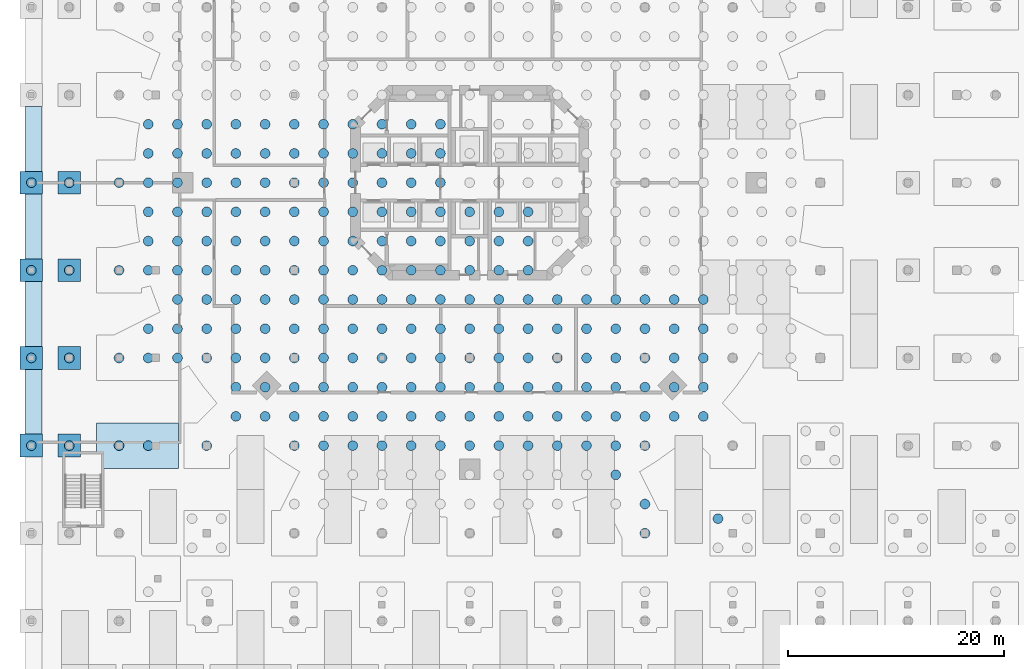
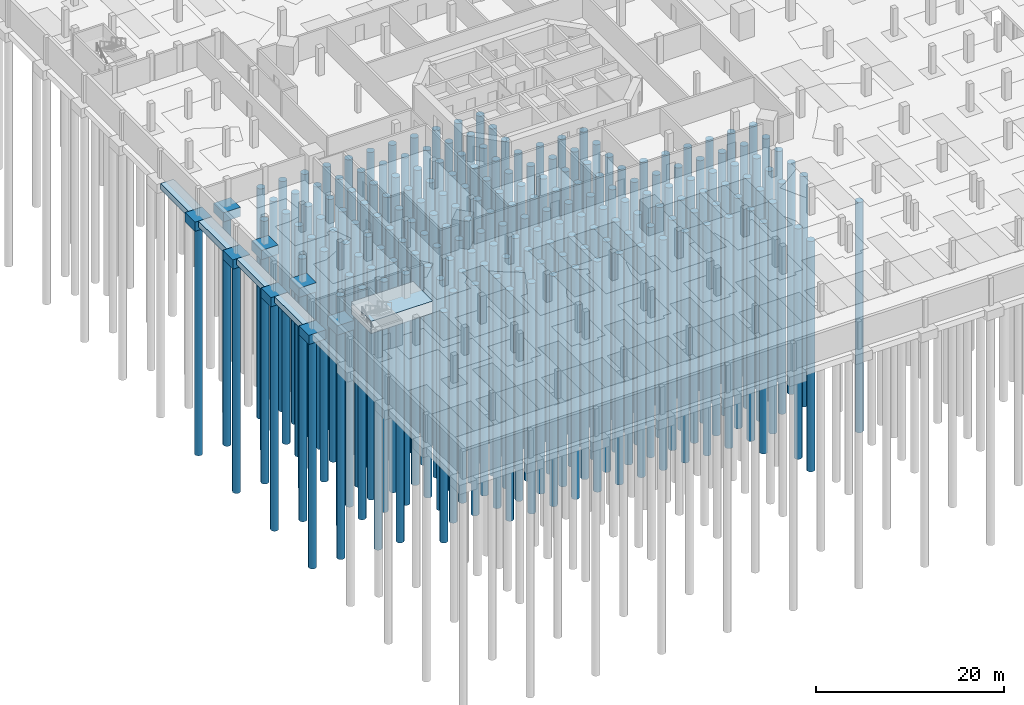
# One storey, part 2 of 23: 199 piles, 13 footings.
"""IFC4 building model written with IfcOpenShell, lengths in metres."""

from ifc_helpers import new_model, si_unit, direction, frame, origin, origin_2d, place, context, subcontext, project, spatial, polyline, rectangle, circle, outline, extrude, material, material_profile, profile_set, type_object, element, save


model = new_model("IFC4")

# Units and contexts
model_context = context("Model", 3, precision=1e-05, world=origin(), true_north=direction((0.0, 1.0)))
body_context = subcontext(model_context, "Body", "Model", "MODEL_VIEW")
ifc_project = project(units=[si_unit("LENGTHUNIT", "METRE"), si_unit("AREAUNIT", "SQUARE_METRE"), si_unit("VOLUMEUNIT", "CUBIC_METRE"), si_unit("PLANEANGLEUNIT", "RADIAN"), si_unit("MASSUNIT", "GRAM", prefix="KILO")], contexts=[model_context])

# Site, building, storey
site_placement = place(None, origin())
site = spatial("IfcSite", under=ifc_project, at=site_placement, CompositionType="ELEMENT")
building_placement = place(site_placement, origin())
building = spatial("IfcBuilding", under=site, at=building_placement, Name="Torre Triforio", CompositionType="ELEMENT")
storey_placement = place(building_placement, frame((0.0, 0.0, -10.800048828125)))
storey = spatial("IfcBuildingStorey", under=building, at=storey_placement, Name="B3", CompositionType="ELEMENT", Elevation=-10.800048828125)

# Piles
ifc_material_1 = material(Name="Concrete C35", Category="concrete")
ifc_material_profile = material_profile(ifc_material_1, circle(Radius=0.449951171875, at=origin_2d()), Name="RC D900")
ifc_profile_set = profile_set([ifc_material_profile], Name="Concrete C35")
pile_type = type_object("IfcPileType", Name="Bored pile D900 C35", PredefinedType="BORED", material=ifc_profile_set)
for number, where, z_axis, x_axis, name in (
    (1, (-32.39990234375, -16.199951171875, -3.39990234375), (0.0, 0.0, -1.0), (1.0, 0.0, 0.0), "PL.RAFT.001"),
    (2, (-32.39990234375, -8.10009765625, -3.39990234375), (0.0, 0.0, -1.0), (1.0, 0.0, 0.0), "PL.RAFT.002"),
    (3, (-32.39990234375, 0.0, -3.39990234375), (0.0, 0.0, -1.0), (1.0, 0.0, 0.0), "PL.RAFT.003"),
    (4, (-29.699951171875, -16.199951171875, -3.39990234375), (0.0, 0.0, -1.0), (1.0, 0.0, 0.0), "PL.RAFT.006"),
    (5, (-29.699951171875, -13.5, -3.39990234375), (0.0, 0.0, -1.0), (1.0, 0.0, 0.0), "PL.RAFT.007"),
    (6, (-29.699951171875, -8.10009765625, -3.39990234375), (0.0, 0.0, -1.0), (1.0, 0.0, 0.0), "PL.RAFT.008"),
    (7, (-29.699951171875, -5.39990234375, -3.39990234375), (0.0, 0.0, -1.0), (1.0, 0.0, 0.0), "PL.RAFT.009"),
    (8, (-29.699951171875, -2.699951171875, -3.39990234375), (0.0, 0.0, -1.0), (1.0, 0.0, 0.0), "PL.RAFT.010"),
    (9, (-29.699951171875, 0.0, -3.39990234375), (0.0, 0.0, -1.0), (1.0, 0.0, 0.0), "PL.RAFT.011"),
    (10, (-29.699951171875, 2.699951171875, -3.39990234375), (0.0, 0.0, -1.0), (1.0, 0.0, 0.0), "PL.RAFT.012"),
    (11, (-29.699951171875, 5.39990234375, -3.39990234375), (0.0, 0.0, -1.0), (1.0, 0.0, 0.0), "PL.RAFT.013"),
    (12, (-27.0, -16.199951171875, -3.39990234375), (0.0, 0.0, -1.0), (1.0, 0.0, 0.0), "PL.RAFT.017"),
    (13, (-27.0, -13.5, -3.39990234375), (0.0, 0.0, -1.0), (1.0, 0.0, 0.0), "PL.RAFT.018"),
    (14, (-27.0, -10.800048828125, -3.39990234375), (0.0, 0.0, -1.0), (1.0, 0.0, 0.0), "PL.RAFT.019"),
    (15, (-27.0, -8.10009765625, -3.39990234375), (0.0, 0.0, -1.0), (1.0, 0.0, 0.0), "PL.RAFT.020"),
    (16, (-27.0, -5.39990234375, -3.39990234375), (0.0, 0.0, -1.0), (1.0, 0.0, 0.0), "PL.RAFT.021"),
    (17, (-27.0, -2.699951171875, -3.39990234375), (0.0, 0.0, -1.0), (1.0, 0.0, 0.0), "PL.RAFT.022"),
    (18, (-27.0, 0.0, -3.39990234375), (0.0, 0.0, -1.0), (1.0, 0.0, 0.0), "PL.RAFT.023"),
    (19, (-27.0, 2.699951171875, -3.39990234375), (0.0, 0.0, -1.0), (1.0, 0.0, 0.0), "PL.RAFT.024"),
    (20, (-27.0, 5.39990234375, -3.39990234375), (0.0, 0.0, -1.0), (1.0, 0.0, 0.0), "PL.RAFT.025"),
    (21, (-24.300048828125, -24.300048828125, -3.39990234375), (0.0, 0.0, -1.0), (1.0, 0.0, 0.0), "PL.RAFT.030"),
    (22, (-24.300048828125, -16.199951171875, -3.39990234375), (0.0, 0.0, -1.0), (1.0, 0.0, 0.0), "PL.RAFT.031"),
    (23, (-24.300048828125, -13.5, -3.39990234375), (0.0, 0.0, -1.0), (1.0, 0.0, 0.0), "PL.RAFT.032"),
    (24, (-24.300048828125, -10.800048828125, -3.39990234375), (0.0, 0.0, -1.0), (1.0, 0.0, 0.0), "PL.RAFT.033"),
    (25, (-24.300048828125, -8.10009765625, -3.39990234375), (0.0, 0.0, -1.0), (1.0, 0.0, 0.0), "PL.RAFT.034"),
    (26, (-24.300048828125, -5.39990234375, -3.39990234375), (0.0, 0.0, -1.0), (1.0, 0.0, 0.0), "PL.RAFT.035"),
    (27, (-24.300048828125, -2.699951171875, -3.39990234375), (0.0, 0.0, -1.0), (1.0, 0.0, 0.0), "PL.RAFT.036"),
    (28, (-24.300048828125, 0.0, -3.39990234375), (0.0, 0.0, -1.0), (1.0, 0.0, 0.0), "PL.RAFT.037"),
    (29, (-24.300048828125, 2.699951171875, -3.39990234375), (0.0, 0.0, -1.0), (1.0, 0.0, 0.0), "PL.RAFT.038"),
    (30, (-24.300048828125, 5.39990234375, -3.39990234375), (0.0, 0.0, -1.0), (1.0, 0.0, 0.0), "PL.RAFT.039"),
    (31, (-21.60009765625, -21.60009765625, -3.39990234375), (0.0, 0.0, -1.0), (1.0, 0.0, 0.0), "PL.RAFT.045"),
    (32, (-21.60009765625, -18.89990234375, -3.39990234375), (0.0, 0.0, -1.0), (1.0, 0.0, 0.0), "PL.RAFT.046"),
    (33, (-21.60009765625, -16.199951171875, -3.39990234375), (0.0, 0.0, -1.0), (1.0, 0.0, 0.0), "PL.RAFT.047"),
    (34, (-21.60009765625, -13.5, -3.39990234375), (0.0, 0.0, -1.0), (1.0, 0.0, 0.0), "PL.RAFT.048"),
    (35, (-21.60009765625, -10.800048828125, -3.39990234375), (0.0, 0.0, -1.0), (1.0, 0.0, 0.0), "PL.RAFT.049"),
    (36, (-21.60009765625, -8.10009765625, -3.39990234375), (0.0, 0.0, -1.0), (1.0, 0.0, 0.0), "PL.RAFT.050"),
    (37, (-21.60009765625, -5.39990234375, -3.39990234375), (0.0, 0.0, -1.0), (1.0, 0.0, 0.0), "PL.RAFT.051"),
    (38, (-21.60009765625, -2.699951171875, -3.39990234375), (0.0, 0.0, -1.0), (1.0, 0.0, 0.0), "PL.RAFT.052"),
    (39, (-21.60009765625, 0.0, -3.39990234375), (0.0, 0.0, -1.0), (1.0, 0.0, 0.0), "PL.RAFT.053"),
    (40, (-21.60009765625, 2.699951171875, -3.39990234375), (0.0, 0.0, -1.0), (1.0, 0.0, 0.0), "PL.RAFT.054"),
    (41, (-21.60009765625, 5.39990234375, -3.39990234375), (0.0, 0.0, -1.0), (1.0, 0.0, 0.0), "PL.RAFT.055"),
    (42, (-18.89990234375, -21.60009765625, -3.39990234375), (0.0, 0.0, -1.0), (1.0, 0.0, 0.0), "PL.RAFT.062"),
    (43, (-18.89990234375, -18.89990234375, -3.39990234375), (0.0, 0.0, -1.0), (1.0, 0.0, 0.0), "PL.RAFT.063"),
    (44, (-18.89990234375, -16.199951171875, -3.39990234375), (0.0, 0.0, -1.0), (1.0, 0.0, 0.0), "PL.RAFT.064"),
    (45, (-18.89990234375, -13.5, -3.39990234375), (0.0, 0.0, -1.0), (1.0, 0.0, 0.0), "PL.RAFT.065"),
    (46, (-18.89990234375, -10.800048828125, -3.39990234375), (0.0, 0.0, -1.0), (1.0, 0.0, 0.0), "PL.RAFT.066"),
    (47, (-18.89990234375, -8.10009765625, -3.39990234375), (0.0, 0.0, -1.0), (1.0, 0.0, 0.0), "PL.RAFT.067"),
    (48, (-18.89990234375, -5.39990234375, -3.39990234375), (0.0, 0.0, -1.0), (1.0, 0.0, 0.0), "PL.RAFT.068"),
    (49, (-18.89990234375, -2.699951171875, -3.39990234375), (0.0, 0.0, -1.0), (1.0, 0.0, 0.0), "PL.RAFT.069"),
    (50, (-18.89990234375, 0.0, -3.39990234375), (0.0, 0.0, -1.0), (1.0, 0.0, 0.0), "PL.RAFT.070"),
    (51, (-18.89990234375, 2.699951171875, -3.39990234375), (0.0, 0.0, -1.0), (1.0, 0.0, 0.0), "PL.RAFT.071"),
    (52, (-18.89990234375, 5.39990234375, -3.39990234375), (0.0, 0.0, -1.0), (1.0, 0.0, 0.0), "PL.RAFT.072"),
    (53, (-16.199951171875, -24.300048828125, -3.39990234375), (0.0, 0.0, -1.0), (1.0, 0.0, 0.0), "PL.RAFT.081"),
    (54, (-16.199951171875, -21.60009765625, -3.39990234375), (0.0, 0.0, -1.0), (1.0, 0.0, 0.0), "PL.RAFT.082"),
    (55, (-16.199951171875, -18.89990234375, -3.39990234375), (0.0, 0.0, -1.0), (1.0, 0.0, 0.0), "PL.RAFT.083"),
    (56, (-16.199951171875, -16.199951171875, -3.39990234375), (0.0, 0.0, -1.0), (1.0, 0.0, 0.0), "PL.RAFT.084"),
    (57, (-16.199951171875, -13.5, -3.39990234375), (0.0, 0.0, -1.0), (1.0, 0.0, 0.0), "PL.RAFT.085"),
    (58, (-16.199951171875, -10.800048828125, -3.39990234375), (0.0, 0.0, -1.0), (1.0, 0.0, 0.0), "PL.RAFT.086"),
    (59, (-16.199951171875, -8.10009765625, -3.39990234375), (0.0, 0.0, -1.0), (1.0, 0.0, 0.0), "PL.RAFT.087"),
    (60, (-16.199951171875, -5.39990234375, -3.39990234375), (0.0, 0.0, -1.0), (1.0, 0.0, 0.0), "PL.RAFT.088"),
    (61, (-16.199951171875, -2.699951171875, -3.39990234375), (0.0, 0.0, -1.0), (1.0, 0.0, 0.0), "PL.RAFT.089"),
    (62, (-16.199951171875, 0.0, -3.39990234375), (0.0, 0.0, -1.0), (1.0, 0.0, 0.0), "PL.RAFT.090"),
    (63, (-16.199951171875, 2.699951171875, -3.39990234375), (0.0, 0.0, -1.0), (1.0, 0.0, 0.0), "PL.RAFT.091"),
    (64, (-16.199951171875, 5.39990234375, -3.39990234375), (0.0, 0.0, -1.0), (1.0, 0.0, 0.0), "PL.RAFT.092"),
    (65, (-13.5, -24.300048828125, -3.39990234375), (0.0, 0.0, -1.0), (1.0, 0.0, 0.0), "PL.RAFT.104"),
    (66, (-13.5, -21.60009765625, -3.39990234375), (0.0, 0.0, -1.0), (1.0, 0.0, 0.0), "PL.RAFT.105"),
    (67, (-13.5, -18.89990234375, -3.39990234375), (0.0, 0.0, -1.0), (1.0, 0.0, 0.0), "PL.RAFT.106"),
    (68, (-13.5, -16.199951171875, -3.39990234375), (0.0, 0.0, -1.0), (1.0, 0.0, 0.0), "PL.RAFT.107"),
    (69, (-13.5, -13.5, -3.39990234375), (0.0, 0.0, -1.0), (1.0, 0.0, 0.0), "PL.RAFT.108"),
    (70, (-13.5, -10.800048828125, -3.39990234375), (0.0, 0.0, -1.0), (1.0, 0.0, 0.0), "PL.RAFT.109"),
    (71, (-13.5, -8.10009765625, -3.39990234375), (0.0, 0.0, -1.0), (1.0, 0.0, 0.0), "PL.RAFT.110"),
    (72, (-13.5, -5.39990234375, -3.39990234375), (0.0, 0.0, -1.0), (1.0, 0.0, 0.0), "PL.RAFT.111"),
    (73, (-13.5, -2.699951171875, -3.39990234375), (0.0, 0.0, -1.0), (1.0, 0.0, 0.0), "PL.RAFT.112"),
    (74, (-13.5, 0.0, -3.39990234375), (0.0, 0.0, -1.0), (1.0, 0.0, 0.0), "PL.RAFT.113"),
    (75, (-13.5, 2.699951171875, -3.39990234375), (0.0, 0.0, -1.0), (1.0, 0.0, 0.0), "PL.RAFT.114"),
    (76, (-13.5, 5.39990234375, -3.39990234375), (0.0, 0.0, -1.0), (1.0, 0.0, 0.0), "PL.RAFT.115"),
    (77, (-10.800048828125, -24.300048828125, -3.39990234375), (0.0, 0.0, -1.0), (1.0, 0.0, 0.0), "PL.RAFT.126"),
    (78, (-10.800048828125, -21.60009765625, -3.39990234375), (0.0, 0.0, -1.0), (1.0, 0.0, 0.0), "PL.RAFT.127"),
    (79, (-10.800048828125, -18.89990234375, -3.39990234375), (0.0, 0.0, -1.0), (1.0, 0.0, 0.0), "PL.RAFT.128"),
    (80, (-10.800048828125, -16.199951171875, -3.39990234375), (0.0, 0.0, -1.0), (1.0, 0.0, 0.0), "PL.RAFT.129"),
    (81, (-10.800048828125, -13.5, -3.39990234375), (0.0, 0.0, -1.0), (1.0, 0.0, 0.0), "PL.RAFT.130"),
    (82, (-10.800048828125, -10.800048828125, -3.39990234375), (0.0, 0.0, -1.0), (1.0, 0.0, 0.0), "PL.RAFT.131"),
    (83, (-10.800048828125, -8.10009765625, -3.39990234375), (0.0, 0.0, -1.0), (1.0, 0.0, 0.0), "PL.RAFT.132"),
    (84, (-10.800048828125, -5.39990234375, -3.39990234375), (0.0, 0.0, -1.0), (1.0, 0.0, 0.0), "PL.RAFT.133"),
    (85, (-10.800048828125, -2.699951171875, -3.39990234375), (0.0, 0.0, -1.0), (1.0, 0.0, 0.0), "PL.RAFT.134"),
    (86, (-10.800048828125, 0.0, -3.39990234375), (0.0, 0.0, -1.0), (1.0, 0.0, 0.0), "PL.RAFT.135"),
    (87, (-10.800048828125, 2.699951171875, -3.39990234375), (0.0, 0.0, -1.0), (1.0, 0.0, 0.0), "PL.RAFT.136"),
    (88, (-10.800048828125, 5.39990234375, -3.39990234375), (0.0, 0.0, -1.0), (1.0, 0.0, 0.0), "PL.RAFT.137"),
    (89, (-8.10009765625, -24.300048828125, -3.39990234375), (0.0, 0.0, -1.0), (1.0, 0.0, 0.0), "PL.RAFT.149"),
    (90, (-8.10009765625, -21.60009765625, -3.39990234375), (0.0, 0.0, -1.0), (1.0, 0.0, 0.0), "PL.RAFT.150"),
    (91, (-8.10009765625, -18.89990234375, -3.39990234375), (0.0, 0.0, -1.0), (1.0, 0.0, 0.0), "PL.RAFT.151"),
    (92, (-8.10009765625, -16.199951171875, -3.39990234375), (0.0, 0.0, -1.0), (1.0, 0.0, 0.0), "PL.RAFT.152"),
    (93, (-8.10009765625, -13.5, -3.39990234375), (0.0, 0.0, -1.0), (1.0, 0.0, 0.0), "PL.RAFT.153"),
    (94, (-8.10009765625, -10.800048828125, -3.39990234375), (0.0, 0.0, -1.0), (1.0, 0.0, 0.0), "PL.RAFT.154"),
    (95, (-8.10009765625, -8.10009765625, -3.39990234375), (0.0, 0.0, -1.0), (1.0, 0.0, 0.0), "PL.RAFT.155"),
    (96, (-8.10009765625, -5.39990234375, -3.39990234375), (0.0, 0.0, -1.0), (1.0, 0.0, 0.0), "PL.RAFT.156"),
    (97, (-8.10009765625, -2.699951171875, -3.39990234375), (0.0, 0.0, -1.0), (1.0, 0.0, 0.0), "PL.RAFT.157"),
    (98, (-8.10009765625, 0.0, -3.39990234375), (0.0, 0.0, -1.0), (1.0, 0.0, 0.0), "PL.RAFT.158"),
    (99, (-8.10009765625, 2.699951171875, -3.39990234375), (0.0, 0.0, -1.0), (1.0, 0.0, 0.0), "PL.RAFT.159"),
    (100, (-8.10009765625, 5.39990234375, -3.39990234375), (0.0, 0.0, -1.0), (1.0, 0.0, 0.0), "PL.RAFT.160"),
    (101, (-5.39990234375, -24.300048828125, -3.39990234375), (0.0, 0.0, -1.0), (1.0, 0.0, 0.0), "PL.RAFT.173"),
    (102, (-5.39990234375, -21.60009765625, -3.39990234375), (0.0, 0.0, -1.0), (1.0, 0.0, 0.0), "PL.RAFT.174"),
    (103, (-5.39990234375, -18.89990234375, -3.39990234375), (0.0, 0.0, -1.0), (1.0, 0.0, 0.0), "PL.RAFT.175"),
    (104, (-5.39990234375, -16.199951171875, -3.39990234375), (0.0, 0.0, -1.0), (1.0, 0.0, 0.0), "PL.RAFT.176"),
    (105, (-5.39990234375, -13.5, -3.39990234375), (0.0, 0.0, -1.0), (1.0, 0.0, 0.0), "PL.RAFT.177"),
    (106, (-5.39990234375, -10.800048828125, -3.39990234375), (0.0, 0.0, -1.0), (1.0, 0.0, 0.0), "PL.RAFT.178"),
    (107, (-5.39990234375, -8.10009765625, -3.39990234375), (0.0, 0.0, -1.0), (1.0, 0.0, 0.0), "PL.RAFT.179"),
    (108, (-5.39990234375, -5.39990234375, -3.39990234375), (0.0, 0.0, -1.0), (1.0, 0.0, 0.0), "PL.RAFT.180"),
    (109, (-5.39990234375, -2.699951171875, -3.39990234375), (0.0, 0.0, -1.0), (1.0, 0.0, 0.0), "PL.RAFT.181"),
    (110, (-5.39990234375, 0.0, -3.39990234375), (0.0, 0.0, -1.0), (1.0, 0.0, 0.0), "PL.RAFT.182"),
    (111, (-5.39990234375, 2.699951171875, -3.39990234375), (0.0, 0.0, -1.0), (1.0, 0.0, 0.0), "PL.RAFT.183"),
    (112, (-5.39990234375, 5.39990234375, -3.39990234375), (0.0, 0.0, -1.0), (1.0, 0.0, 0.0), "PL.RAFT.184"),
    (113, (-2.699951171875, -24.300048828125, -3.39990234375), (0.0, 0.0, -1.0), (1.0, 0.0, 0.0), "PL.RAFT.196"),
    (114, (-2.699951171875, -21.60009765625, -3.39990234375), (0.0, 0.0, -1.0), (1.0, 0.0, 0.0), "PL.RAFT.197"),
    (115, (-2.699951171875, -18.89990234375, -3.39990234375), (0.0, 0.0, -1.0), (1.0, 0.0, 0.0), "PL.RAFT.198"),
    (116, (-2.699951171875, -16.199951171875, -3.39990234375), (0.0, 0.0, -1.0), (1.0, 0.0, 0.0), "PL.RAFT.199"),
    (117, (-2.699951171875, -13.5, -3.39990234375), (0.0, 0.0, -1.0), (1.0, 0.0, 0.0), "PL.RAFT.200"),
    (118, (-2.699951171875, -10.800048828125, -3.39990234375), (0.0, 0.0, -1.0), (1.0, 0.0, 0.0), "PL.RAFT.201"),
    (119, (-2.699951171875, -8.10009765625, -3.39990234375), (0.0, 0.0, -1.0), (1.0, 0.0, 0.0), "PL.RAFT.202"),
    (120, (-2.699951171875, -5.39990234375, -3.39990234375), (0.0, 0.0, -1.0), (1.0, 0.0, 0.0), "PL.RAFT.203"),
    (121, (-2.699951171875, -2.699951171875, -3.39990234375), (0.0, 0.0, -1.0), (1.0, 0.0, 0.0), "PL.RAFT.204"),
    (122, (-2.699951171875, 0.0, -3.39990234375), (0.0, 0.0, -1.0), (1.0, 0.0, 0.0), "PL.RAFT.205"),
    (123, (-2.699951171875, 2.699951171875, -3.39990234375), (0.0, 0.0, -1.0), (1.0, 0.0, 0.0), "PL.RAFT.206"),
    (124, (-2.699951171875, 5.39990234375, -3.39990234375), (0.0, 0.0, -1.0), (1.0, 0.0, 0.0), "PL.RAFT.207"),
    (125, (0.0, -24.300048828125, -3.39990234375), (0.0, 0.0, -1.0), (1.0, 0.0, 0.0), "PL.RAFT.220"),
    (126, (0.0, -21.60009765625, -3.39990234375), (0.0, 0.0, -1.0), (1.0, 0.0, 0.0), "PL.RAFT.221"),
    (127, (0.0, -18.89990234375, -3.39990234375), (0.0, 0.0, -1.0), (1.0, 0.0, 0.0), "PL.RAFT.222"),
    (128, (0.0, -16.199951171875, -3.39990234375), (0.0, 0.0, -1.0), (1.0, 0.0, 0.0), "PL.RAFT.223"),
    (129, (0.0, -13.5, -3.39990234375), (0.0, 0.0, -1.0), (1.0, 0.0, 0.0), "PL.RAFT.224"),
    (130, (0.0, -10.800048828125, -3.39990234375), (0.0, 0.0, -1.0), (1.0, 0.0, 0.0), "PL.RAFT.225"),
    (131, (0.0, -8.10009765625, -3.39990234375), (0.0, 0.0, -1.0), (1.0, 0.0, 0.0), "PL.RAFT.226"),
    (132, (0.0, -5.39990234375, -3.39990234375), (0.0, 0.0, -1.0), (1.0, 0.0, 0.0), "PL.RAFT.227"),
    (133, (0.0, -2.699951171875, -3.39990234375), (0.0, 0.0, -1.0), (1.0, 0.0, 0.0), "PL.RAFT.228"),
    (134, (2.699951171875, -24.300048828125, -3.39990234375), (0.0, 0.0, -1.0), (1.0, 0.0, 0.0), "PL.RAFT.244"),
    (135, (2.699951171875, -21.60009765625, -3.39990234375), (0.0, 0.0, -1.0), (1.0, 0.0, 0.0), "PL.RAFT.245"),
    (136, (2.699951171875, -18.89990234375, -3.39990234375), (0.0, 0.0, -1.0), (1.0, 0.0, 0.0), "PL.RAFT.246"),
    (137, (2.699951171875, -16.199951171875, -3.39990234375), (0.0, 0.0, -1.0), (1.0, 0.0, 0.0), "PL.RAFT.247"),
    (138, (2.699951171875, -13.5, -3.39990234375), (0.0, 0.0, -1.0), (1.0, 0.0, 0.0), "PL.RAFT.248"),
    (139, (2.699951171875, -10.800048828125, -3.39990234375), (0.0, 0.0, -1.0), (1.0, 0.0, 0.0), "PL.RAFT.249"),
    (140, (2.699951171875, -8.10009765625, -3.39990234375), (0.0, 0.0, -1.0), (1.0, 0.0, 0.0), "PL.RAFT.250"),
    (141, (2.699951171875, -5.39990234375, -3.39990234375), (0.0, 0.0, -1.0), (1.0, 0.0, 0.0), "PL.RAFT.251"),
    (142, (2.699951171875, -2.699951171875, -3.39990234375), (0.0, 0.0, -1.0), (1.0, 0.0, 0.0), "PL.RAFT.252"),
    (143, (5.39990234375, -24.300048828125, -3.39990234375), (0.0, 0.0, -1.0), (1.0, 0.0, 0.0), "PL.RAFT.267"),
    (144, (5.39990234375, -21.60009765625, -3.39990234375), (0.0, 0.0, -1.0), (1.0, 0.0, 0.0), "PL.RAFT.268"),
    (145, (5.39990234375, -18.89990234375, -3.39990234375), (0.0, 0.0, -1.0), (1.0, 0.0, 0.0), "PL.RAFT.269"),
    (146, (5.39990234375, -16.199951171875, -3.39990234375), (0.0, 0.0, -1.0), (1.0, 0.0, 0.0), "PL.RAFT.270"),
    (147, (5.39990234375, -13.5, -3.39990234375), (0.0, 0.0, -1.0), (1.0, 0.0, 0.0), "PL.RAFT.271"),
    (148, (5.39990234375, -10.800048828125, -3.39990234375), (0.0, 0.0, -1.0), (1.0, 0.0, 0.0), "PL.RAFT.272"),
    (149, (5.39990234375, -8.10009765625, -3.39990234375), (0.0, 0.0, -1.0), (1.0, 0.0, 0.0), "PL.RAFT.273"),
    (150, (5.39990234375, -5.39990234375, -3.39990234375), (0.0, 0.0, -1.0), (1.0, 0.0, 0.0), "PL.RAFT.274"),
    (151, (5.39990234375, -2.699951171875, -3.39990234375), (0.0, 0.0, -1.0), (1.0, 0.0, 0.0), "PL.RAFT.275"),
    (152, (8.10009765625, -24.300048828125, -3.39990234375), (0.0, 0.0, -1.0), (1.0, 0.0, 0.0), "PL.RAFT.291"),
    (153, (8.10009765625, -21.60009765625, -3.39990234375), (0.0, 0.0, -1.0), (1.0, 0.0, 0.0), "PL.RAFT.292"),
    (154, (8.10009765625, -18.89990234375, -3.39990234375), (0.0, 0.0, -1.0), (1.0, 0.0, 0.0), "PL.RAFT.293"),
    (155, (8.10009765625, -16.199951171875, -3.39990234375), (0.0, 0.0, -1.0), (1.0, 0.0, 0.0), "PL.RAFT.294"),
    (156, (8.10009765625, -13.5, -3.39990234375), (0.0, 0.0, -1.0), (1.0, 0.0, 0.0), "PL.RAFT.295"),
    (157, (8.10009765625, -10.800048828125, -3.39990234375), (0.0, 0.0, -1.0), (1.0, 0.0, 0.0), "PL.RAFT.296"),
    (158, (10.800048828125, -24.300048828125, -3.39990234375), (0.0, 0.0, -1.0), (1.0, 0.0, 0.0), "PL.RAFT.314"),
    (159, (10.800048828125, -21.60009765625, -3.39990234375), (0.0, 0.0, -1.0), (1.0, 0.0, 0.0), "PL.RAFT.315"),
    (160, (10.800048828125, -18.89990234375, -3.39990234375), (0.0, 0.0, -1.0), (1.0, 0.0, 0.0), "PL.RAFT.316"),
    (161, (10.800048828125, -16.199951171875, -3.39990234375), (0.0, 0.0, -1.0), (1.0, 0.0, 0.0), "PL.RAFT.317"),
    (162, (10.800048828125, -13.5, -3.39990234375), (0.0, 0.0, -1.0), (1.0, 0.0, 0.0), "PL.RAFT.318"),
    (163, (10.800048828125, -10.800048828125, -3.39990234375), (0.0, 0.0, -1.0), (1.0, 0.0, 0.0), "PL.RAFT.319"),
    (164, (13.5, -27.0, -3.39990234375), (0.0, 0.0, -1.0), (1.0, 0.0, 0.0), "PL.RAFT.335"),
    (165, (13.5, -24.300048828125, -3.39990234375), (0.0, 0.0, -1.0), (1.0, 0.0, 0.0), "PL.RAFT.336"),
    (166, (13.5, -21.60009765625, -3.39990234375), (0.0, 0.0, -1.0), (1.0, 0.0, 0.0), "PL.RAFT.337"),
    (167, (13.5, -18.89990234375, -3.39990234375), (0.0, 0.0, -1.0), (1.0, 0.0, 0.0), "PL.RAFT.338"),
    (168, (13.5, -16.199951171875, -3.39990234375), (0.0, 0.0, -1.0), (1.0, 0.0, 0.0), "PL.RAFT.339"),
    (169, (13.5, -13.5, -3.39990234375), (0.0, 0.0, -1.0), (1.0, 0.0, 0.0), "PL.RAFT.340"),
    (170, (13.5, -10.800048828125, -3.39990234375), (0.0, 0.0, -1.0), (1.0, 0.0, 0.0), "PL.RAFT.341"),
    (171, (16.199951171875, -32.39990234375, -3.39990234375), (0.0, 0.0, -1.0), (1.0, 0.0, 0.0), "PL.RAFT.357"),
    (172, (16.199951171875, -29.699951171875, -3.39990234375), (0.0, 0.0, -1.0), (1.0, 0.0, 0.0), "PL.RAFT.358"),
    (173, (16.199951171875, -24.300048828125, -3.39990234375), (0.0, 0.0, -1.0), (1.0, 0.0, 0.0), "PL.RAFT.359"),
    (174, (16.199951171875, -21.60009765625, -3.39990234375), (0.0, 0.0, -1.0), (1.0, 0.0, 0.0), "PL.RAFT.360"),
    (175, (16.199951171875, -18.89990234375, -3.39990234375), (0.0, 0.0, -1.0), (1.0, 0.0, 0.0), "PL.RAFT.361"),
    (176, (16.199951171875, -16.199951171875, -3.39990234375), (0.0, 0.0, -1.0), (1.0, 0.0, 0.0), "PL.RAFT.362"),
    (177, (16.199951171875, -13.5, -3.39990234375), (0.0, 0.0, -1.0), (1.0, 0.0, 0.0), "PL.RAFT.363"),
    (178, (16.199951171875, -10.800048828125, -3.39990234375), (0.0, 0.0, -1.0), (1.0, 0.0, 0.0), "PL.RAFT.364"),
    (179, (18.89990234375, -21.60009765625, -3.39990234375), (0.0, 0.0, -1.0), (1.0, 0.0, 0.0), "PL.RAFT.380"),
    (180, (18.89990234375, -18.89990234375, -3.39990234375), (0.0, 0.0, -1.0), (1.0, 0.0, 0.0), "PL.RAFT.381"),
    (181, (18.89990234375, -16.199951171875, -3.39990234375), (0.0, 0.0, -1.0), (1.0, 0.0, 0.0), "PL.RAFT.382"),
    (182, (18.89990234375, -13.5, -3.39990234375), (0.0, 0.0, -1.0), (1.0, 0.0, 0.0), "PL.RAFT.383"),
    (183, (18.89990234375, -10.800048828125, -3.39990234375), (0.0, 0.0, -1.0), (1.0, 0.0, 0.0), "PL.RAFT.384"),
    (184, (21.60009765625, -21.60009765625, -3.39990234375), (0.0, 0.0, -1.0), (1.0, 0.0, 0.0), "PL.RAFT.397"),
    (185, (21.60009765625, -18.89990234375, -3.39990234375), (0.0, 0.0, -1.0), (1.0, 0.0, 0.0), "PL.RAFT.398"),
    (186, (21.60009765625, -16.199951171875, -3.39990234375), (0.0, 0.0, -1.0), (1.0, 0.0, 0.0), "PL.RAFT.399"),
    (187, (21.60009765625, -13.5, -3.39990234375), (0.0, 0.0, -1.0), (1.0, 0.0, 0.0), "PL.RAFT.400"),
    (188, (21.60009765625, -10.800048828125, -3.39990234375), (0.0, 0.0, -1.0), (1.0, 0.0, 0.0), "PL.RAFT.401"),
    (189, (22.949951171875, -31.050048828125, -1.5), (0.0, 0.0, -1.0), (1.0, 0.0, 0.0), "PL.PC.056.3"),
    (190, (-40.5, -24.300048828125, -1.099853515625), (0.0, 0.0, -1.0), (1.0, 0.0, 0.0), "PL.PC.066.1"),
    (191, (-37.0, -24.300048828125, -1.099853515625), (0.0, 0.0, -1.0), (1.0, 0.0, 0.0), "PL.PC.067.1"),
    (192, (-32.39990234375, -24.300048828125, -1.5), (0.0, 0.0, -1.0), (1.0, 0.0, 0.0), "PL.PC.068.1"),
    (193, (-29.699951171875, -24.300048828125, -1.5), (0.0, 0.0, -1.0), (1.0, 0.0, 0.0), "PL.PC.068.2"),
    (194, (-40.5, -16.199951171875, -1.099853515625), (0.0, 0.0, -1.0), (1.0, 0.0, 0.0), "PL.PC.078.1"),
    (195, (-37.0, -16.199951171875, -1.099853515625), (0.0, 0.0, -1.0), (1.0, 0.0, 0.0), "PL.PC.079.1"),
    (196, (-40.5, -8.10009765625, -1.099853515625), (0.0, 0.0, -1.0), (1.0, 0.0, 0.0), "PL.PC.088.1"),
    (197, (-37.0, -8.10009765625, -1.099853515625), (0.0, 0.0, -1.0), (1.0, 0.0, 0.0), "PL.PC.089.1"),
    (198, (-40.5, 0.0, -1.099853515625), (0.0, 0.0, -1.0), (1.0, 0.0, 0.0), "PL.PC.098.1"),
    (199, (-37.0, 0.0, -1.099853515625), (0.0, 0.0, -1.0), (1.0, 0.0, 0.0), "PL.PC.099.1"),
):
    element("IfcPile", number, at=place(storey_placement, frame(where, z_axis=z_axis, x_axis=x_axis)), inside=storey, type_object=pile_type, Name=name, PredefinedType="BORED", context=body_context, shape_type="SweptSolid", body=[
        extrude(circle(Radius=0.449951171875, at=origin_2d()), origin(), (0.0, 0.0, 1.0), 30.0),
    ])

# Footings
ifc_material_2 = material(Name="Concrete C50", Category="concrete")
footing_type_1 = type_object("IfcFootingType", Name="Pile cap combined 1600 C50", PredefinedType="PILE_CAP", material=ifc_material_2)
footing_1_placement = place(storey_placement, frame((0.0, 0.0, -1.599853515625)))
element("IfcFooting", 200, at=footing_1_placement, inside=storey, type_object=footing_type_1, Name="FT.PC.068", PredefinedType="PILE_CAP", context=body_context, shape_type="SweptSolid", body=[
    extrude(outline(polyline([(-34.499755859375, -26.39990234375), (-34.496337890625, -26.39990234375), (-26.903564453125, -26.39990234375), (-26.900146484375, -26.39990234375), (-26.89990234375, -26.396240234375), (-26.89990234375, -22.20361328125), (-26.900146484375, -22.2001953125), (-26.903564453125, -22.199951171875), (-34.496337890625, -22.199951171875), (-34.499755859375, -22.2001953125), (-34.5, -22.20361328125), (-34.5, -26.396240234375), (-34.499755859375, -26.39990234375)])), origin(), (0.0, 0.0, 1.0), 1.599853515625),
])
footing_type_2 = type_object("IfcFootingType", Name="Pile cap single pile 2100 1200 C50", PredefinedType="PILE_CAP", material=ifc_material_2)
for number, where, z_axis, x_axis, name in (
    (201, (-40.5, -24.300048828125, -1.19970703125), (0.0, 0.0, 1.0), (1.0, 0.0, 0.0), "FT.PC.066"),
    (202, (-37.0, -24.300048828125, -1.19970703125), (0.0, 0.0, 1.0), (1.0, 0.0, 0.0), "FT.PC.067"),
    (203, (-40.5, -16.199951171875, -1.19970703125), (0.0, 0.0, 1.0), (1.0, 0.0, 0.0), "FT.PC.078"),
    (204, (-37.0, -16.199951171875, -1.19970703125), (0.0, 0.0, 1.0), (1.0, 0.0, 0.0), "FT.PC.079"),
    (205, (-40.5, -8.10009765625, -1.19970703125), (0.0, 0.0, 1.0), (1.0, 0.0, 0.0), "FT.PC.088"),
    (206, (-37.0, -8.10009765625, -1.19970703125), (0.0, 0.0, 1.0), (1.0, 0.0, 0.0), "FT.PC.089"),
    (207, (-40.5, 0.0, -1.19970703125), (0.0, 0.0, 1.0), (1.0, 0.0, 0.0), "FT.PC.098"),
    (208, (-37.0, 0.0, -1.19970703125), (0.0, 0.0, 1.0), (1.0, 0.0, 0.0), "FT.PC.099"),
):
    element("IfcFooting", number, at=place(storey_placement, frame(where, z_axis=z_axis, x_axis=x_axis)), inside=storey, type_object=footing_type_2, Name=name, PredefinedType="PILE_CAP", context=body_context, shape_type="SweptSolid", body=[
        extrude(rectangle(XDim=2.10009765625, YDim=2.10009765625, at=origin_2d()), origin(), (0.0, 0.0, 1.0), 1.199951171875),
    ])
ifc_material_3 = material(Name="Concrete C40", Category="concrete")
footing_type_3 = type_object("IfcFootingType", Name="Strip footing 1600 800 C40", PredefinedType="STRIP_FOOTING", material=ifc_material_3)
footing_2_placement = place(storey_placement, frame((0.0, 0.0, -0.800048828125)))
element("IfcFooting", 209, at=footing_2_placement, inside=storey, type_object=footing_type_3, Name="FT.STRIP.19", PredefinedType="STRIP_FOOTING", context=body_context, shape_type="SweptSolid", body=[
    extrude(outline(polyline([(-41.10009765625, -17.25), (-41.10009765625, -23.25), (-39.5, -23.25), (-39.5, -17.25), (-41.10009765625, -17.25)])), origin(), (0.0, 0.0, 1.0), 0.800048828125),
])
footing_3_placement = place(storey_placement, frame((0.0, 0.0, -0.800048828125)))
element("IfcFooting", 210, at=footing_3_placement, inside=storey, type_object=footing_type_3, Name="FT.STRIP.20", PredefinedType="STRIP_FOOTING", context=body_context, shape_type="SweptSolid", body=[
    extrude(outline(polyline([(-41.10009765625, -1.050048828125), (-41.10009765625, -7.050048828125), (-39.5, -7.050048828125), (-39.5, -1.050048828125), (-41.10009765625, -1.050048828125)])), origin(), (0.0, 0.0, 1.0), 0.800048828125),
])
footing_4_placement = place(storey_placement, frame((0.0, 0.0, -0.800048828125)))
element("IfcFooting", 211, at=footing_4_placement, inside=storey, type_object=footing_type_3, Name="FT.STRIP.21", PredefinedType="STRIP_FOOTING", context=body_context, shape_type="SweptSolid", body=[
    extrude(outline(polyline([(-41.10009765625, 7.050048828125), (-41.10009765625, 1.050048828125), (-39.5, 1.050048828125), (-39.5, 7.050048828125), (-41.10009765625, 7.050048828125)])), origin(), (0.0, 0.0, 1.0), 0.800048828125),
])
footing_5_placement = place(storey_placement, frame((0.0, 0.0, -0.800048828125)))
element("IfcFooting", 212, at=footing_5_placement, inside=storey, type_object=footing_type_3, Name="FT.STRIP.41", PredefinedType="STRIP_FOOTING", context=body_context, shape_type="SweptSolid", body=[
    extrude(outline(polyline([(-41.10009765625, -9.14990234375), (-41.10009765625, -15.14990234375), (-39.5, -15.14990234375), (-39.5, -9.14990234375), (-41.10009765625, -9.14990234375)])), origin(), (0.0, 0.0, 1.0), 0.800048828125),
])

save(model, "model.ifc")
